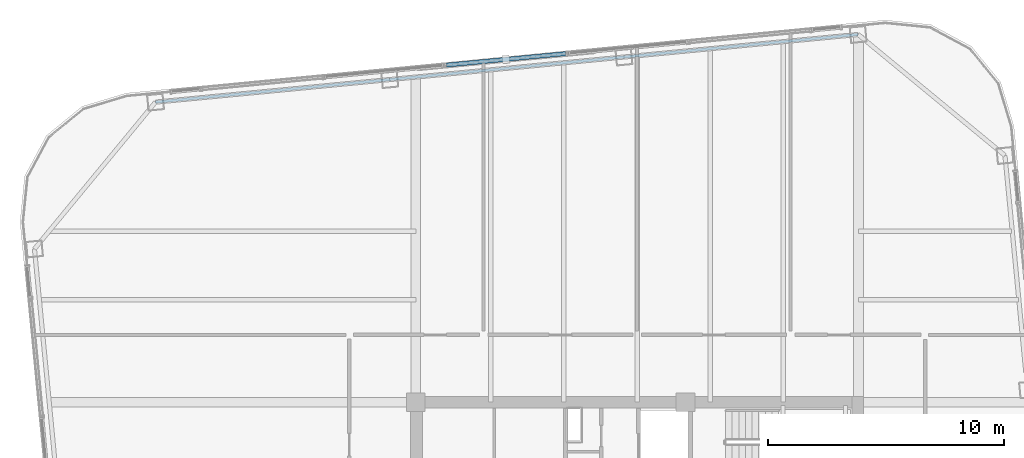
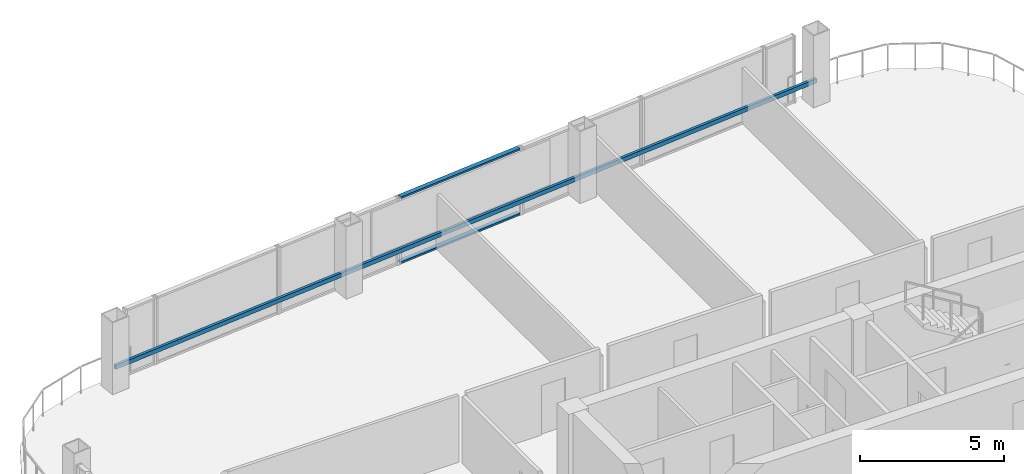
# One storey, part 20 of 29: 3 members, 1 element without a shape of its own.
"""IFC4 building model written with IfcOpenShell, lengths in metres."""

import ifcopenshell
import ifcopenshell.guid

model = None  # the IFC model being written
_history = None  # IfcOwnerHistory: only IFC2X3 demands one
_inside = {}  # id of a spatial element -> (the spatial element, [elements in it])
_under = {}  # id of a project, library or spatial element -> (it, [spatial elements below it])
_declared = {}  # id of a project -> (the project, [libraries it declares])
_typed = {}  # id of a type object -> (the type object, [elements of that type])
_made_of = {}  # id of a material, layer set ... -> (it, [elements and type objects made of it])


def new_model(schema):
    """Start an empty IFC model of exactly this schema.

    Asked for "IFC4X3", IfcOpenShell would pick the latest addendum, in which some entities
    have other attributes; the version numbers below select the first issue.
    IFC2X3 requires an IfcOwnerHistory on every rooted entity: one is made here for all.
    """
    global model, _history
    if schema == "IFC4X3":
        model = ifcopenshell.file(schema_version=(4, 3, 0, 0))
    else:
        model = ifcopenshell.file(schema=schema)
    _inside.clear()
    _under.clear()
    _declared.clear()
    _typed.clear()
    _made_of.clear()
    _history = None
    if model.schema == "IFC2X3":
        org = make("IfcOrganization", Name="unknown")
        user = make(
            "IfcPersonAndOrganization",
            ThePerson=make("IfcPerson", FamilyName="unknown"),
            TheOrganization=org,
        )
        app = make(
            "IfcApplication",
            ApplicationDeveloper=org,
            Version="unknown",
            ApplicationFullName="unknown",
            ApplicationIdentifier="unknown",
        )
        _history = make(
            "IfcOwnerHistory",
            OwningUser=user,
            OwningApplication=app,
            ChangeAction="ADDED",
            CreationDate=0,
        )
    return model


def make(cls, **values):
    """One entity of the class cls with the attributes given. An attribute that is None is left unset."""
    return model.create_entity(
        cls, **{name: value for name, value in values.items() if value is not None}
    )


def rooted(cls, **values):
    """An entity with a GlobalId (a new one), such as an element, a storey or a relation."""
    return make(cls, GlobalId=ifcopenshell.guid.new(), OwnerHistory=_history, **values)


def si_unit(unit_type, name, prefix=None):
    """IfcSIUnit, for example si_unit("LENGTHUNIT", "METRE", prefix="MILLI")."""
    return make("IfcSIUnit", UnitType=unit_type, Prefix=prefix, Name=name)


def assignment(units):
    """IfcUnitAssignment: the units of a project."""
    return None if units is None else make("IfcUnitAssignment", Units=units)


def point(xyz):
    """IfcCartesianPoint."""
    return None if xyz is None else make("IfcCartesianPoint", Coordinates=xyz)


def direction(xyz):
    """IfcDirection."""
    return None if xyz is None else make("IfcDirection", DirectionRatios=xyz)


def frame(location, z_axis=None, x_axis=None):
    """IfcAxis2Placement3D, a coordinate frame: its origin and axes. An axis left out is left unset."""
    return make(
        "IfcAxis2Placement3D",
        Location=point(location),
        Axis=direction(z_axis),
        RefDirection=direction(x_axis),
    )


def frame_2d(location, x_axis=None):
    """IfcAxis2Placement2D, a coordinate frame in the plane: its origin and x axis."""
    return make(
        "IfcAxis2Placement2D", Location=point(location), RefDirection=direction(x_axis)
    )


def origin():
    """The frame at (0, 0, 0) with its axes left unset."""
    return frame((0.0, 0.0, 0.0))


def origin_2d():
    """The frame at (0, 0) in the plane with its x axis left unset."""
    return frame_2d((0.0, 0.0))


def place(relative_to, where):
    """IfcLocalPlacement: puts the frame where relative to a parent placement (None: the world)."""
    return make(
        "IfcLocalPlacement", PlacementRelTo=relative_to, RelativePlacement=where
    )


def context(
    kind, dimensions, precision=None, world=None, true_north=None, identifier=None
):
    """IfcGeometricRepresentationContext, for example the 3D "Model" context."""
    return make(
        "IfcGeometricRepresentationContext",
        ContextIdentifier=identifier,
        ContextType=kind,
        CoordinateSpaceDimension=dimensions,
        Precision=precision,
        WorldCoordinateSystem=world,
        TrueNorth=true_north,
    )


def subcontext(parent, identifier, kind, view, scale=None):
    """IfcGeometricRepresentationSubContext, for example "Body" below "Model"."""
    return make(
        "IfcGeometricRepresentationSubContext",
        ContextIdentifier=identifier,
        ContextType=kind,
        ParentContext=parent,
        TargetScale=scale,
        TargetView=view,
    )


def project(units=None, contexts=None):
    """IfcProject with its units and contexts."""
    return rooted(
        "IfcProject",
        Name="project",
        RepresentationContexts=contexts,
        UnitsInContext=assignment(units),
    )


def spatial(cls, under=None, at=None, **own):
    """A site, building, storey or space (cls), placed at a placement, below another one or the project."""
    s = rooted(cls, ObjectPlacement=at, **own)
    if under is not None:
        _under.setdefault(under.id(), (under, []))[1].append(s)
    return s


def profile(cls, at=None, kind="AREA", **sizes):
    """A parametric profile (cls). Its sizes go by their IFC names, for example OverallWidth=200.0."""
    return make(cls, ProfileType=kind, Position=at, **sizes)


def hollow_rectangle(**sizes):
    """IfcRectangleHollowProfileDef."""
    return profile("IfcRectangleHollowProfileDef", **sizes)


def extrude(swept, where, along, depth):
    """IfcExtrudedAreaSolid: the profile swept, set in the frame where, extruded along a direction by depth."""
    return make(
        "IfcExtrudedAreaSolid",
        SweptArea=swept,
        Position=where,
        ExtrudedDirection=direction(along),
        Depth=depth,
    )


def shape(context_of_items, identifier, shape_type, items):
    """IfcShapeRepresentation: the items that make up one representation, for example the "Body"."""
    return make(
        "IfcShapeRepresentation",
        ContextOfItems=context_of_items,
        RepresentationIdentifier=identifier,
        RepresentationType=shape_type,
        Items=items,
    )


def material(Name=None, Category=None):
    """IfcMaterial."""
    return make("IfcMaterial", Name=Name, Category=Category)


def layer(
    of_material, thickness, ventilated=None, Name=None, Category=None, Priority=None
):
    """IfcMaterialLayer: one layer of a wall or slab, of a material (None: an air gap)."""
    return make(
        "IfcMaterialLayer",
        Material=of_material,
        LayerThickness=thickness,
        IsVentilated=ventilated,
        Name=Name,
        Category=Category,
        Priority=Priority,
    )


def layer_set(layers, Name=None):
    """IfcMaterialLayerSet."""
    return make("IfcMaterialLayerSet", MaterialLayers=layers, LayerSetName=Name)


def material_profile(
    of_material, cross_section, Name=None, Category=None, Priority=None
):
    """IfcMaterialProfile: a cross section and its material."""
    return make(
        "IfcMaterialProfile",
        Name=Name,
        Material=of_material,
        Profile=cross_section,
        Priority=Priority,
        Category=Category,
    )


def profile_set(profiles, Name=None, composite=None):
    """IfcMaterialProfileSet."""
    return make(
        "IfcMaterialProfileSet",
        Name=Name,
        MaterialProfiles=profiles,
        CompositeProfile=composite,
    )


def made_of(thing, what):
    """Note that an element or type object is made of a material, layer set ...; save() writes the relation."""
    if what is not None:
        _made_of.setdefault(what.id(), (what, []))[1].append(thing)
    return thing


def type_object(cls, material=None, **own):
    """A type object (cls), such as IfcWallType, which elements share."""
    return made_of(rooted(cls, **own), material)


def element(
    cls,
    number,
    at=None,
    inside=None,
    cuts=None,
    type_object=None,
    material=None,
    context=None,
    identifier="Body",
    shape_type=None,
    held_by="IfcProductDefinitionShape",
    body=None,
    shapes=None,
    **own,
):
    """One element of the class cls, such as IfcWall. Its Tag is "e" and its number.

    at: its placement. inside: the storey or other place that contains it. cuts: it is an
    opening in that element (IfcRelVoidsElement). A single representation is given by context,
    identifier, shape_type and body (its items); several are given by shapes. held_by: the class
    of the entity that holds the representations. save() writes the other relations.
    """
    e = rooted(cls, Tag="e%d" % number, ObjectPlacement=at, **own)
    if body is not None:
        shapes = [shape(context, identifier, shape_type, body)]
    if shapes is not None:
        e.Representation = make(held_by, Representations=shapes)
    if inside is not None:
        _inside.setdefault(inside.id(), (inside, []))[1].append(e)
    if cuts is not None:
        rooted(
            "IfcRelVoidsElement", RelatingBuildingElement=cuts, RelatedOpeningElement=e
        )
    if type_object is not None:
        _typed.setdefault(type_object.id(), (type_object, []))[1].append(e)
    return made_of(e, material)


def aggregate(whole, parts):
    """IfcRelAggregates: a whole, such as a stair, and the parts it consists of."""
    return rooted("IfcRelAggregates", RelatingObject=whole, RelatedObjects=parts)


def save(model, path):
    """Write the relations noted so far, then the file.

    IfcRelAggregates (storeys below a building ...), IfcRelContainedInSpatialStructure (elements
    in a storey), IfcRelDefinesByType, IfcRelAssociatesMaterial and IfcRelDeclares: one each for
    every whole, place, type object, material and project.
    """
    for whole, parts in _under.values():
        aggregate(whole, parts)
    for where, things in _inside.values():
        rooted(
            "IfcRelContainedInSpatialStructure",
            RelatedElements=things,
            RelatingStructure=where,
        )
    for kind, things in _typed.values():
        rooted("IfcRelDefinesByType", RelatedObjects=things, RelatingType=kind)
    for what, things in _made_of.values():
        rooted("IfcRelAssociatesMaterial", RelatedObjects=things, RelatingMaterial=what)
    for by, libraries in _declared.values():
        rooted("IfcRelDeclares", RelatingContext=by, RelatedDefinitions=libraries)
    model.write(path)


model = new_model("IFC4")

# Units and contexts
model_context = context("Model", 3, precision=1e-05, world=origin(), true_north=direction((0.0, 1.0)))
body_context = subcontext(model_context, "Body", "Model", "MODEL_VIEW")
ifc_project = project(units=[si_unit("LENGTHUNIT", "METRE"), si_unit("AREAUNIT", "SQUARE_METRE"), si_unit("VOLUMEUNIT", "CUBIC_METRE"), si_unit("PLANEANGLEUNIT", "RADIAN"), si_unit("MASSUNIT", "GRAM", prefix="KILO")], contexts=[model_context])

# Site, building, storey
site_placement = place(None, origin())
site = spatial("IfcSite", under=ifc_project, at=site_placement, CompositionType="ELEMENT")
building_placement = place(site_placement, origin())
building = spatial("IfcBuilding", under=site, at=building_placement, Name="Qhalaya Broadcast Tower", CompositionType="ELEMENT")
storey_placement = place(building_placement, frame((0.0, 0.0, 177.5)))
storey = spatial("IfcBuildingStorey", under=building, at=storey_placement, Name="L52", CompositionType="ELEMENT", Elevation=177.5)

# Member
ifc_material_1 = material(Name="Fired Architectural Terracotta", Category="masonry")
ifc_material_profile_1 = material_profile(ifc_material_1, hollow_rectangle(XDim=0.110107421875, YDim=0.179931640625, WallThickness=0.01806640625, at=origin_2d()), Name="TB-BAG 110x180x18")
ifc_profile_set_1 = profile_set([ifc_material_profile_1], Name="Fired Architectural Terracotta")
member_type_1 = type_object("IfcMemberType", Name="Fired Terracotta Facade Baguette Member TB1", PredefinedType="USERDEFINED", material=ifc_profile_set_1)
member_1_placement = place(storey_placement, frame((9.362060546875, 25.52783203125, 0.84912109375), z_axis=(-0.995396439073, -0.095843252659, 0.0), x_axis=(0.095843252659, -0.995396439073, 0.0)))
element("IfcMember", 1, at=member_1_placement, inside=storey, type_object=member_type_1, Name="L52 Terracotta Baguette Feature Rail N", ObjectType="BAGUETTE", PredefinedType="USERDEFINED", context=body_context, shape_type="SweptSolid", body=[
    extrude(hollow_rectangle(XDim=0.110107421875, YDim=0.179931640625, WallThickness=0.01806640625, at=origin_2d()), origin(), (0.0, 0.0, 1.0), 29.900146484375),
])

# Curtain wall, members
ifc_layer = layer(ifc_material_1, 0.219970703125, Name="Fired Architectural Terracotta")
ifc_layer_set = layer_set([ifc_layer], Name="Fired Architectural Terracotta")
curtain_wall_type = type_object("IfcCurtainWallType", Name="Block-Cap Unitised Terracotta Spandrel Wall CW-07", PredefinedType="NOTDEFINED", material=ifc_layer_set)
curtain_wall_placement = place(storey_placement, origin())
curtain_wall = element("IfcCurtainWall", 2, at=curtain_wall_placement, inside=storey, type_object=curtain_wall_type, Name="L52 Unitised Curtain Wall L52-CW-N4", PredefinedType="NOTDEFINED")
ifc_material_2 = material(Name="Anodised Aluminium 6063-T6", Category="aluminium")
ifc_material_profile_2 = material_profile(ifc_material_2, hollow_rectangle(XDim=0.074951171875, YDim=0.179931640625, WallThickness=0.00390625, at=origin_2d()), Name="ALU-TRN 75x180x4")
ifc_profile_set_2 = profile_set([ifc_material_profile_2], Name="Anodised Aluminium 6063-T6")
member_type_2 = type_object("IfcMemberType", Name="Unitised Curtain-Wall Transom T01", PredefinedType="USERDEFINED", material=ifc_profile_set_2)
member_2_placement = place(storey_placement, frame((-3.0244140625, 24.716796875, 0.03759765625), z_axis=(-0.995399173362, -0.095814850985, 0.0), x_axis=(0.0, 0.0, 1.0)))
member_2 = element("IfcMember", 3, at=member_2_placement, type_object=member_type_2, Name="CW-07 transom 1.1", ObjectType="TRANSOM", PredefinedType="USERDEFINED", context=body_context, shape_type="SweptSolid", body=[
    extrude(hollow_rectangle(XDim=0.074951171875, YDim=0.179931640625, WallThickness=0.00390625, at=origin_2d()), origin(), (0.0, 0.0, 1.0), 5.0859375),
])
member_3_placement = place(storey_placement, frame((-3.0244140625, 24.716796875, 2.79248046875), z_axis=(-0.995399173362, -0.095814850985, 0.0), x_axis=(0.0, 0.0, 1.0)))
member_3 = element("IfcMember", 4, at=member_3_placement, type_object=member_type_2, Name="CW-07 transom 1.2", ObjectType="TRANSOM", PredefinedType="USERDEFINED", context=body_context, shape_type="SweptSolid", body=[
    extrude(hollow_rectangle(XDim=0.074951171875, YDim=0.179931640625, WallThickness=0.00390625, at=origin_2d()), origin(), (0.0, 0.0, 1.0), 5.0859375),
])
aggregate(curtain_wall, [member_2, member_3])

save(model, "model.ifc")
